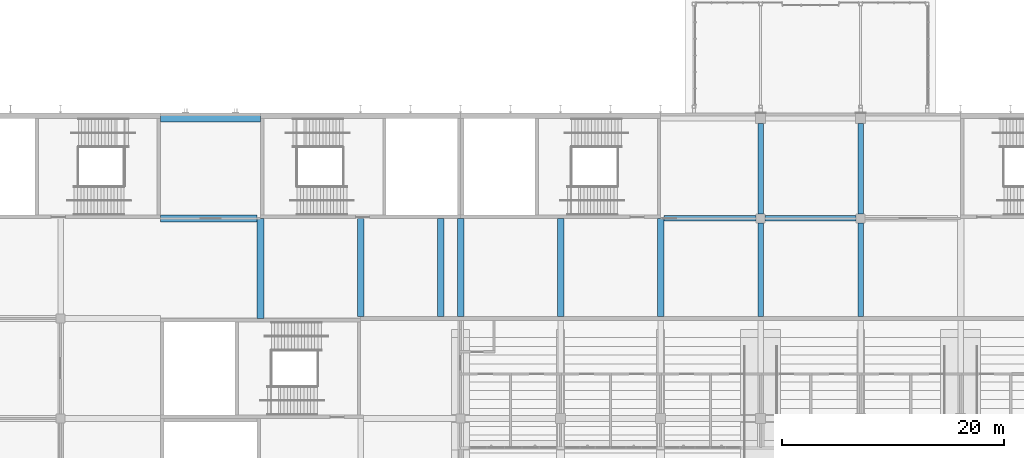
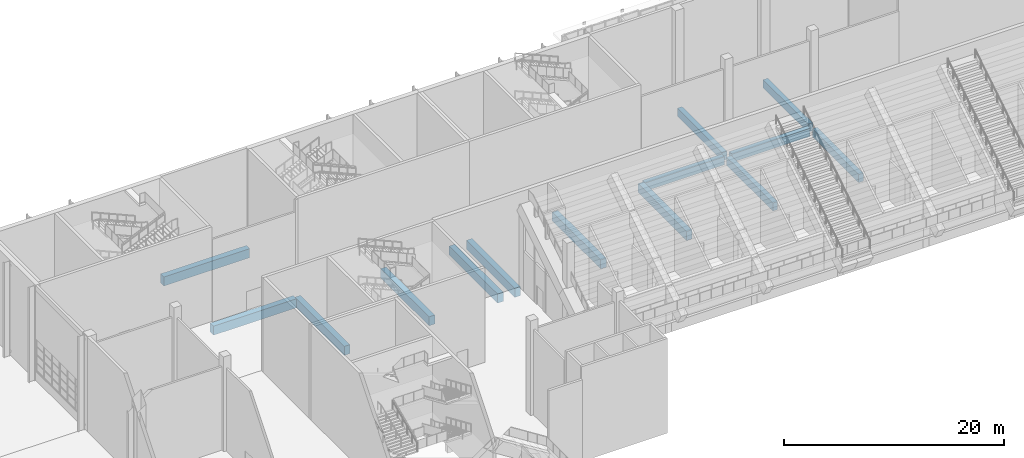
# One storey, part 57 of 182: 14 beams.
"""IFC4 building model written with IfcOpenShell, lengths in metres."""

from ifc_helpers import new_model, si_unit, direction, frame, origin, origin_2d, place, context, subcontext, project, spatial, rectangle, extrude, material, material_profile, profile_set, type_object, element, save


model = new_model("IFC4")

# Units and contexts
model_context = context("Model", 3, precision=1e-05, world=origin(), true_north=direction((0.0, 1.0)))
body_context = subcontext(model_context, "Body", "Model", "MODEL_VIEW")
ifc_project = project(units=[si_unit("LENGTHUNIT", "METRE"), si_unit("AREAUNIT", "SQUARE_METRE"), si_unit("VOLUMEUNIT", "CUBIC_METRE"), si_unit("PLANEANGLEUNIT", "RADIAN"), si_unit("MASSUNIT", "GRAM", prefix="KILO")], contexts=[model_context])

# Site, building, storey
site_placement = place(None, origin())
site = spatial("IfcSite", under=ifc_project, at=site_placement, CompositionType="ELEMENT")
building_placement = place(site_placement, origin())
building = spatial("IfcBuilding", under=site, at=building_placement, Name="Silverbay Arena", CompositionType="ELEMENT")
storey_placement = place(building_placement, frame((0.0, 0.0, 11.5)))
storey = spatial("IfcBuildingStorey", under=building, at=storey_placement, Name="L02", CompositionType="ELEMENT", Elevation=11.5)

# Beams
ifc_material_1 = material(Name="Concrete Grade C45", Category="concrete")
ifc_material_profile_1 = material_profile(ifc_material_1, rectangle(XDim=0.5, YDim=0.89990234375, at=origin_2d()), Name="RC 500x900")
ifc_profile_set_1 = profile_set([ifc_material_profile_1], Name="Concrete Grade C45")
beam_type_1 = type_object("IfcBeamType", Name="RC beam 500x900", PredefinedType="BEAM", material=ifc_profile_set_1)
beam_1_placement = place(storey_placement, frame((117.300048828125, 135.0, -0.800048828125), z_axis=(1.0, 0.0, 0.0), x_axis=(0.0, 1.0, 0.0)))
element("IfcBeam", 1, at=beam_1_placement, inside=storey, type_object=beam_type_1, Name="Floor beam L02 166", PredefinedType="BEAM", context=body_context, shape_type="SweptSolid", body=[
    extrude(rectangle(XDim=0.5, YDim=0.89990234375, at=origin_2d()), origin(), (0.0, 0.0, 1.0), 8.300048828125),
])
beam_2_placement = place(storey_placement, frame((126.39990234375, 135.0, -0.800048828125), z_axis=(1.0, 0.0, 0.0), x_axis=(0.0, 1.0, 0.0)))
element("IfcBeam", 2, at=beam_2_placement, inside=storey, type_object=beam_type_1, Name="Floor beam L02 167", PredefinedType="BEAM", context=body_context, shape_type="SweptSolid", body=[
    extrude(rectangle(XDim=0.5, YDim=0.89990234375, at=origin_2d()), origin(), (0.0, 0.0, 1.0), 8.2001953125),
])
beam_3_placement = place(storey_placement, frame((126.0, 126.199951171875, -0.800048828125), z_axis=(0.0, 1.0, 0.0), x_axis=(-1.0, 0.0, 0.0)))
element("IfcBeam", 3, at=beam_3_placement, inside=storey, type_object=beam_type_1, Name="Floor beam L02 271", PredefinedType="BEAM", context=body_context, shape_type="SweptSolid", body=[
    extrude(rectangle(XDim=0.5, YDim=0.89990234375, at=origin_2d()), origin(), (0.0, 0.0, 1.0), 8.400146484375),
])
beam_4_placement = place(storey_placement, frame((126.0, 135.39990234375, -0.800048828125), z_axis=(0.0, 1.0, 0.0), x_axis=(-1.0, 0.0, 0.0)))
element("IfcBeam", 4, at=beam_4_placement, inside=storey, type_object=beam_type_1, Name="Floor beam L02 272", PredefinedType="BEAM", context=body_context, shape_type="SweptSolid", body=[
    extrude(rectangle(XDim=0.5, YDim=0.89990234375, at=origin_2d()), origin(), (0.0, 0.0, 1.0), 8.150146484375),
])
beam_5_placement = place(storey_placement, frame((135.0, 126.199951171875, -0.800048828125), z_axis=(0.0, 1.0, 0.0), x_axis=(-1.0, 0.0, 0.0)))
element("IfcBeam", 5, at=beam_5_placement, inside=storey, type_object=beam_type_1, Name="Floor beam L02 279", PredefinedType="BEAM", context=body_context, shape_type="SweptSolid", body=[
    extrude(rectangle(XDim=0.5, YDim=0.89990234375, at=origin_2d()), origin(), (0.0, 0.0, 1.0), 8.400146484375),
])
beam_6_placement = place(storey_placement, frame((135.0, 135.39990234375, -0.800048828125), z_axis=(0.0, 1.0, 0.0), x_axis=(-1.0, 0.0, 0.0)))
element("IfcBeam", 6, at=beam_6_placement, inside=storey, type_object=beam_type_1, Name="Floor beam L02 280", PredefinedType="BEAM", context=body_context, shape_type="SweptSolid", body=[
    extrude(rectangle(XDim=0.5, YDim=0.89990234375, at=origin_2d()), origin(), (0.0, 0.0, 1.0), 8.150146484375),
])
ifc_material_2 = material(Name="Concrete Grade C45", Category="concrete")
ifc_material_profile_2 = material_profile(ifc_material_2, rectangle(XDim=0.60009765625, YDim=1.0, at=origin_2d()), Name="RC 600x1000")
ifc_profile_set_2 = profile_set([ifc_material_profile_2], Name="Concrete Grade C45")
beam_type_2 = type_object("IfcBeamType", Name="RC beam 600x1000", PredefinedType="BEAM", material=ifc_profile_set_2)
beam_7_placement = place(storey_placement, frame((72.0, 135.0, -0.85009765625), z_axis=(1.0, 0.0, 0.0), x_axis=(0.0, 1.0, 0.0)))
element("IfcBeam", 7, at=beam_7_placement, inside=storey, type_object=beam_type_2, Name="Floor beam L02 165", PredefinedType="BEAM", context=body_context, shape_type="SweptSolid", body=[
    extrude(rectangle(XDim=0.60009765625, YDim=1.0, at=origin_2d()), origin(), (0.0, 0.0, 1.0), 8.699951171875),
])
for number, where, z_axis, x_axis, name in (
    (8, (72.0, 144.0, -0.85009765625), (1.0, 0.0, 0.0), (0.0, 1.0, 0.0), "Floor beam L02 174"),
    (9, (81.0, 126.0, -0.85009765625), (0.0, 1.0, 0.0), (-1.0, 0.0, 0.0), "Floor beam L02 236"),
):
    element("IfcBeam", number, at=place(storey_placement, frame(where, z_axis=z_axis, x_axis=x_axis)), inside=storey, type_object=beam_type_2, Name=name, PredefinedType="BEAM", context=body_context, shape_type="SweptSolid", body=[
        extrude(rectangle(XDim=0.60009765625, YDim=1.0, at=origin_2d()), origin(), (0.0, 0.0, 1.0), 9.0),
    ])
for number, where, z_axis, x_axis, name in (
    (10, (90.0, 126.199951171875, -0.85009765625), (0.0, 1.0, 0.0), (-1.0, 0.0, 0.0), "Floor beam L02 242"),
    (11, (97.199951171875, 126.199951171875, -0.85009765625), (0.0, 1.0, 0.0), (-1.0, 0.0, 0.0), "Floor beam L02 244"),
    (12, (99.0, 126.199951171875, -0.85009765625), (0.0, 1.0, 0.0), (-1.0, 0.0, 0.0), "Floor beam L02 252"),
    (13, (108.0, 126.199951171875, -0.85009765625), (0.0, 1.0, 0.0), (-1.0, 0.0, 0.0), "Floor beam L02 258"),
    (14, (117.0, 126.199951171875, -0.85009765625), (0.0, 1.0, 0.0), (-1.0, 0.0, 0.0), "Floor beam L02 264"),
):
    element("IfcBeam", number, at=place(storey_placement, frame(where, z_axis=z_axis, x_axis=x_axis)), inside=storey, type_object=beam_type_2, Name=name, PredefinedType="BEAM", context=body_context, shape_type="SweptSolid", body=[
        extrude(rectangle(XDim=0.60009765625, YDim=1.0, at=origin_2d()), origin(), (0.0, 0.0, 1.0), 8.800048828125),
    ])

save(model, "model.ifc")
